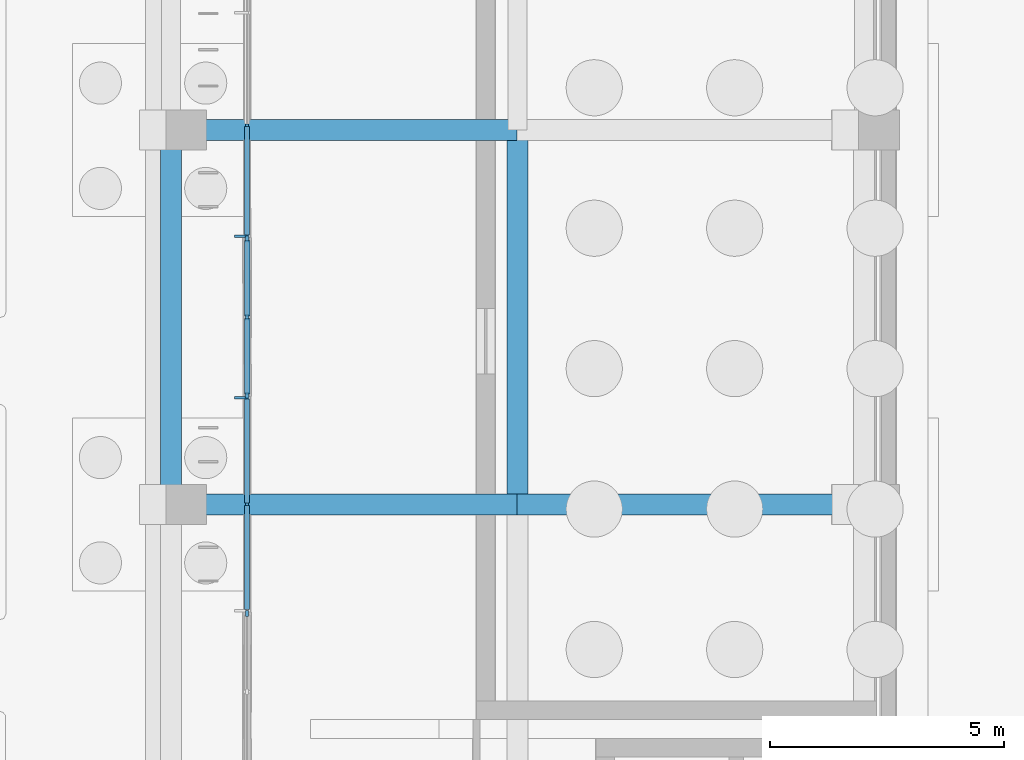
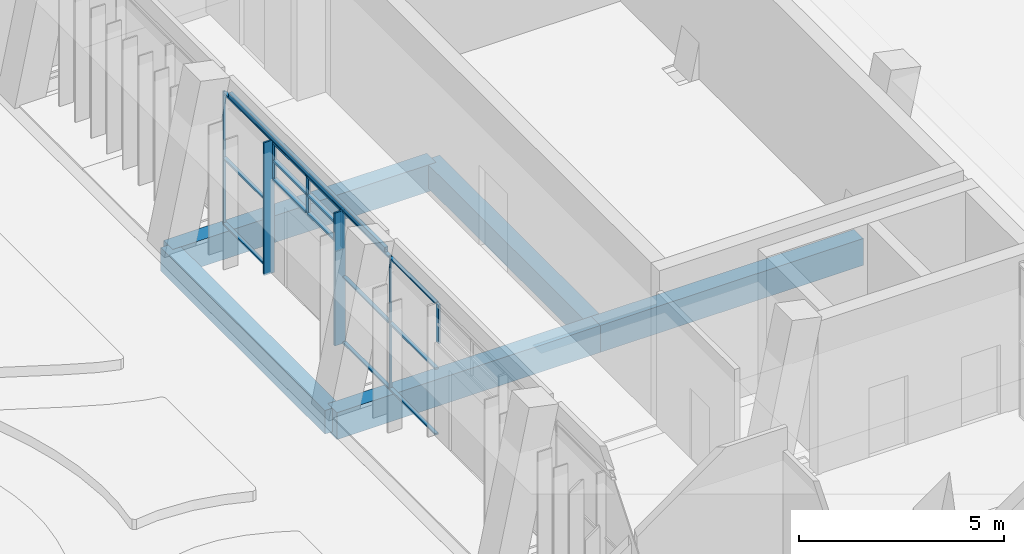
# One storey, part 74 of 144: 23 members, 6 beams, 4 elements without a shape of their own.
"""IFC4 building model written with IfcOpenShell, lengths in metres."""

from ifc_helpers import new_model, si_unit, direction, frame, origin, origin_2d, place, context, subcontext, project, spatial, rectangle, hollow_rectangle, extrude, material, material_profile, profile_set, type_object, element, aggregate, save


model = new_model("IFC4")

# Units and contexts
model_context = context("Model", 3, precision=1e-05, world=origin(), true_north=direction((0.0, 1.0)))
body_context = subcontext(model_context, "Body", "Model", "MODEL_VIEW")
ifc_project = project(units=[si_unit("LENGTHUNIT", "METRE"), si_unit("AREAUNIT", "SQUARE_METRE"), si_unit("VOLUMEUNIT", "CUBIC_METRE"), si_unit("PLANEANGLEUNIT", "RADIAN"), si_unit("MASSUNIT", "GRAM", prefix="KILO")], contexts=[model_context])

# Site, building, storey
site_placement = place(None, origin())
site = spatial("IfcSite", under=ifc_project, at=site_placement, CompositionType="ELEMENT")
building_placement = place(site_placement, origin())
building = spatial("IfcBuilding", under=site, at=building_placement, Name="Lantern Court Media Centre", CompositionType="ELEMENT")
storey_placement = place(building_placement, origin())
storey = spatial("IfcBuildingStorey", under=building, at=storey_placement, Name="L00", CompositionType="ELEMENT", Elevation=0.0)

# Curtain wall, member
ifc_material_1 = material(Name="Curtain wall bay 2400")
curtain_wall_type_1 = type_object("IfcCurtainWallType", Name="Curtain wall bay 2400", PredefinedType="NOTDEFINED", material=ifc_material_1)
curtain_wall_1_placement = place(storey_placement, origin())
curtain_wall_1 = element("IfcCurtainWall", 1, at=curtain_wall_1_placement, inside=storey, type_object=curtain_wall_type_1, Name="Curtain wall E inner L00", PredefinedType="NOTDEFINED")
ifc_material_2 = material(Name="Anodised aluminium", Category="aluminium")
ifc_material_profile_1 = material_profile(ifc_material_2, rectangle(XDim=0.300048828125, YDim=0.050048828125, at=origin_2d()), Name="AL 50x300")
ifc_profile_set_1 = profile_set([ifc_material_profile_1], Name="Anodised aluminium")
member_type_1 = type_object("IfcMemberType", Name="Curtain wall mullion 50x300", PredefinedType="MULLION", material=ifc_profile_set_1)
member_1_placement = place(storey_placement, frame((82.030029296875, 82.27490234375, 0.0), z_axis=(0.0, 0.0, 1.0), x_axis=(-1.0, 0.0, 0.0)))
member_1 = element("IfcMember", 2, at=member_1_placement, type_object=member_type_1, Name="CW2 mullion 3", PredefinedType="MULLION", context=body_context, shape_type="SweptSolid", body=[
    extrude(rectangle(XDim=0.300048828125, YDim=0.050048828125, at=origin_2d()), origin(), (0.0, 0.0, 1.0), 3.949951171875),
])

curtain_wall_2_placement = place(storey_placement, origin())
curtain_wall_2 = element("IfcCurtainWall", 3, at=curtain_wall_2_placement, inside=storey, type_object=curtain_wall_type_1, Name="Curtain wall E inner L00", PredefinedType="NOTDEFINED")
member_2_placement = place(storey_placement, frame((82.030029296875, 85.72509765625, 0.0), z_axis=(0.0, 0.0, 1.0), x_axis=(-1.0, 0.0, 0.0)))
member_2 = element("IfcMember", 4, at=member_2_placement, type_object=member_type_1, Name="CW2 mullion 1", PredefinedType="MULLION", context=body_context, shape_type="SweptSolid", body=[
    extrude(rectangle(XDim=0.300048828125, YDim=0.050048828125, at=origin_2d()), origin(), (0.0, 0.0, 1.0), 3.949951171875),
])

# Member
ifc_material_profile_2 = material_profile(ifc_material_2, rectangle(XDim=0.06005859375, YDim=0.050048828125, at=origin_2d()), Name="AL 50x60")
ifc_profile_set_2 = profile_set([ifc_material_profile_2], Name="Anodised aluminium")
member_type_2 = type_object("IfcMemberType", Name="Curtain wall mullion 50x60", PredefinedType="MULLION", material=ifc_profile_set_2)
member_3_placement = place(storey_placement, frame((82.14990234375, 80.0, 0.0), z_axis=(0.0, 0.0, 1.0), x_axis=(-1.0, 0.0, 0.0)))
member_3 = element("IfcMember", 5, at=member_3_placement, type_object=member_type_2, Name="CW2 mullion 2", PredefinedType="MULLION", context=body_context, shape_type="SweptSolid", body=[
    extrude(rectangle(XDim=0.06005859375, YDim=0.050048828125, at=origin_2d()), origin(), (0.0, 0.0, 1.0), 3.949951171875),
])

member_4_placement = place(storey_placement, frame((82.14990234375, 88.10009765625, 0.0), z_axis=(0.0, 0.0, 1.0), x_axis=(-1.0, 0.0, 0.0)))
member_4 = element("IfcMember", 6, at=member_4_placement, type_object=member_type_2, Name="CW2 mullion 2", PredefinedType="MULLION", context=body_context, shape_type="SweptSolid", body=[
    extrude(rectangle(XDim=0.06005859375, YDim=0.050048828125, at=origin_2d()), origin(), (0.0, 0.0, 1.0), 3.949951171875),
])

# Curtain wall, member
ifc_material_3 = material(Name="Curtain wall bay 1700")
curtain_wall_type_2 = type_object("IfcCurtainWallType", Name="Curtain wall bay 1700", PredefinedType="NOTDEFINED", material=ifc_material_3)
curtain_wall_3_placement = place(storey_placement, origin())
curtain_wall_3 = element("IfcCurtainWall", 7, at=curtain_wall_3_placement, inside=storey, type_object=curtain_wall_type_2, Name="Curtain wall E inner L00", PredefinedType="NOTDEFINED")
ifc_material_profile_3 = material_profile(ifc_material_2, rectangle(XDim=0.06005859375, YDim=0.1201171875, at=origin_2d()), Name="AL 60x120")
ifc_profile_set_3 = profile_set([ifc_material_profile_3], Name="Anodised aluminium")
member_type_3 = type_object("IfcMemberType", Name="Curtain wall mullion 60x120", PredefinedType="MULLION", material=ifc_profile_set_3)
member_5_placement = place(storey_placement, frame((82.14990234375, 77.669921875, 2.800048828125), z_axis=(0.0, 0.0, 1.0), x_axis=(-1.0, 0.0, 0.0)))
member_5 = element("IfcMember", 8, at=member_5_placement, type_object=member_type_3, Name="CW4 mullion 3", PredefinedType="MULLION", context=body_context, shape_type="SweptSolid", body=[
    extrude(rectangle(XDim=0.06005859375, YDim=0.1201171875, at=origin_2d()), origin(), (0.0, 0.0, 1.0), 1.14990234375),
])
aggregate(curtain_wall_3, [member_5])

# Curtain wall, members
curtain_wall_4_placement = place(storey_placement, origin())
curtain_wall_4 = element("IfcCurtainWall", 9, at=curtain_wall_4_placement, inside=storey, type_object=curtain_wall_type_2, Name="Curtain wall E inner L00", PredefinedType="NOTDEFINED")
member_6_placement = place(storey_placement, frame((82.14990234375, 82.330078125, 2.800048828125), z_axis=(0.0, 0.0, 1.0), x_axis=(-1.0, 0.0, 0.0)))
member_6 = element("IfcMember", 10, at=member_6_placement, type_object=member_type_3, Name="CW4 mullion 1", PredefinedType="MULLION", context=body_context, shape_type="SweptSolid", body=[
    extrude(rectangle(XDim=0.06005859375, YDim=0.1201171875, at=origin_2d()), origin(), (0.0, 0.0, 1.0), 1.14990234375),
])
member_7_placement = place(storey_placement, frame((82.14990234375, 84.0, 2.800048828125), z_axis=(0.0, 0.0, 1.0), x_axis=(-1.0, 0.0, 0.0)))
member_7 = element("IfcMember", 11, at=member_7_placement, type_object=member_type_3, Name="CW4 mullion 2", PredefinedType="MULLION", context=body_context, shape_type="SweptSolid", body=[
    extrude(rectangle(XDim=0.06005859375, YDim=0.1201171875, at=origin_2d()), origin(), (0.0, 0.0, 1.0), 1.14990234375),
])
member_8_placement = place(storey_placement, frame((82.14990234375, 85.669921875, 2.800048828125), z_axis=(0.0, 0.0, 1.0), x_axis=(-1.0, 0.0, 0.0)))
member_8 = element("IfcMember", 12, at=member_8_placement, type_object=member_type_3, Name="CW4 mullion 3", PredefinedType="MULLION", context=body_context, shape_type="SweptSolid", body=[
    extrude(rectangle(XDim=0.06005859375, YDim=0.1201171875, at=origin_2d()), origin(), (0.0, 0.0, 1.0), 1.14990234375),
])

# Member
ifc_material_profile_4 = material_profile(ifc_material_2, rectangle(XDim=0.10009765625, YDim=0.050048828125, at=origin_2d()), Name="AL 50x100")
ifc_profile_set_4 = profile_set([ifc_material_profile_4], Name="Anodised aluminium")
member_type_4 = type_object("IfcMemberType", Name="Curtain wall transom 100x50", PredefinedType="USERDEFINED", material=ifc_profile_set_4)
member_9_placement = place(storey_placement, frame((82.14990234375, 77.75, 0.02490234375), z_axis=(0.0, 1.0, 0.0), x_axis=(-1.0, 0.0, 0.0)))
member_9 = element("IfcMember", 13, at=member_9_placement, type_object=member_type_4, Name="CW2 transom 1.1", ObjectType="TRANSOM", PredefinedType="USERDEFINED", context=body_context, shape_type="SweptSolid", body=[
    extrude(rectangle(XDim=0.10009765625, YDim=0.050048828125, at=origin_2d()), origin(), (0.0, 0.0, 1.0), 2.22509765625),
])

member_10_placement = place(storey_placement, frame((82.14990234375, 77.75, 1.97509765625), z_axis=(0.0, 1.0, 0.0), x_axis=(-1.0, 0.0, 0.0)))
member_10 = element("IfcMember", 14, at=member_10_placement, type_object=member_type_4, Name="CW2 transom 1.2", ObjectType="TRANSOM", PredefinedType="USERDEFINED", context=body_context, shape_type="SweptSolid", body=[
    extrude(rectangle(XDim=0.10009765625, YDim=0.050048828125, at=origin_2d()), origin(), (0.0, 0.0, 1.0), 2.22509765625),
])

member_11_placement = place(storey_placement, frame((82.14990234375, 77.75, 3.925048828125), z_axis=(0.0, 1.0, 0.0), x_axis=(-1.0, 0.0, 0.0)))
member_11 = element("IfcMember", 15, at=member_11_placement, type_object=member_type_4, Name="CW2 transom 1.3", ObjectType="TRANSOM", PredefinedType="USERDEFINED", context=body_context, shape_type="SweptSolid", body=[
    extrude(rectangle(XDim=0.10009765625, YDim=0.050048828125, at=origin_2d()), origin(), (0.0, 0.0, 1.0), 2.22509765625),
])

member_12_placement = place(storey_placement, frame((82.14990234375, 80.02490234375, 0.02490234375), z_axis=(0.0, 1.0, 0.0), x_axis=(-1.0, 0.0, 0.0)))
member_12 = element("IfcMember", 16, at=member_12_placement, type_object=member_type_4, Name="CW2 transom 2.1", ObjectType="TRANSOM", PredefinedType="USERDEFINED", context=body_context, shape_type="SweptSolid", body=[
    extrude(rectangle(XDim=0.10009765625, YDim=0.050048828125, at=origin_2d()), origin(), (0.0, 0.0, 1.0), 2.22509765625),
])

member_13_placement = place(storey_placement, frame((82.14990234375, 80.02490234375, 1.97509765625), z_axis=(0.0, 1.0, 0.0), x_axis=(-1.0, 0.0, 0.0)))
member_13 = element("IfcMember", 17, at=member_13_placement, type_object=member_type_4, Name="CW2 transom 2.2", ObjectType="TRANSOM", PredefinedType="USERDEFINED", context=body_context, shape_type="SweptSolid", body=[
    extrude(rectangle(XDim=0.10009765625, YDim=0.050048828125, at=origin_2d()), origin(), (0.0, 0.0, 1.0), 2.22509765625),
])

member_14_placement = place(storey_placement, frame((82.14990234375, 80.02490234375, 3.925048828125), z_axis=(0.0, 1.0, 0.0), x_axis=(-1.0, 0.0, 0.0)))
member_14 = element("IfcMember", 18, at=member_14_placement, type_object=member_type_4, Name="CW2 transom 2.3", ObjectType="TRANSOM", PredefinedType="USERDEFINED", context=body_context, shape_type="SweptSolid", body=[
    extrude(rectangle(XDim=0.10009765625, YDim=0.050048828125, at=origin_2d()), origin(), (0.0, 0.0, 1.0), 2.22509765625),
])

aggregate(curtain_wall_1, [member_3, member_1, member_9, member_10, member_11, member_12, member_13, member_14])

member_15_placement = place(storey_placement, frame((82.14990234375, 85.75, 0.02490234375), z_axis=(0.0, 1.0, 0.0), x_axis=(-1.0, 0.0, 0.0)))
member_15 = element("IfcMember", 19, at=member_15_placement, type_object=member_type_4, Name="CW2 transom 1.1", ObjectType="TRANSOM", PredefinedType="USERDEFINED", context=body_context, shape_type="SweptSolid", body=[
    extrude(rectangle(XDim=0.10009765625, YDim=0.050048828125, at=origin_2d()), origin(), (0.0, 0.0, 1.0), 2.324951171875),
])

member_16_placement = place(storey_placement, frame((82.14990234375, 85.75, 1.97509765625), z_axis=(0.0, 1.0, 0.0), x_axis=(-1.0, 0.0, 0.0)))
member_16 = element("IfcMember", 20, at=member_16_placement, type_object=member_type_4, Name="CW2 transom 1.2", ObjectType="TRANSOM", PredefinedType="USERDEFINED", context=body_context, shape_type="SweptSolid", body=[
    extrude(rectangle(XDim=0.10009765625, YDim=0.050048828125, at=origin_2d()), origin(), (0.0, 0.0, 1.0), 2.324951171875),
])

member_17_placement = place(storey_placement, frame((82.14990234375, 85.75, 3.925048828125), z_axis=(0.0, 1.0, 0.0), x_axis=(-1.0, 0.0, 0.0)))
member_17 = element("IfcMember", 21, at=member_17_placement, type_object=member_type_4, Name="CW2 transom 1.3", ObjectType="TRANSOM", PredefinedType="USERDEFINED", context=body_context, shape_type="SweptSolid", body=[
    extrude(rectangle(XDim=0.10009765625, YDim=0.050048828125, at=origin_2d()), origin(), (0.0, 0.0, 1.0), 2.324951171875),
])

aggregate(curtain_wall_2, [member_2, member_4, member_15, member_16, member_17])

ifc_material_profile_5 = material_profile(ifc_material_2, rectangle(XDim=0.1201171875, YDim=0.06005859375, at=origin_2d()), Name="AL 60x120")
ifc_profile_set_5 = profile_set([ifc_material_profile_5], Name="Anodised aluminium")
member_type_5 = type_object("IfcMemberType", Name="Curtain wall transom 60x120", PredefinedType="USERDEFINED", material=ifc_profile_set_5)
member_18_placement = place(storey_placement, frame((82.14990234375, 82.360107421875, 2.830078125), z_axis=(0.0, 1.0, 0.0), x_axis=(-1.0, 0.0, 0.0)))
member_18 = element("IfcMember", 22, at=member_18_placement, type_object=member_type_5, Name="CW4 transom 1.1", ObjectType="TRANSOM", PredefinedType="USERDEFINED", context=body_context, shape_type="SweptSolid", body=[
    extrude(rectangle(XDim=0.1201171875, YDim=0.06005859375, at=origin_2d()), origin(), (0.0, 0.0, 1.0), 1.60986328125),
])

member_19_placement = place(storey_placement, frame((82.14990234375, 82.360107421875, 3.375), z_axis=(0.0, 1.0, 0.0), x_axis=(-1.0, 0.0, 0.0)))
member_19 = element("IfcMember", 23, at=member_19_placement, type_object=member_type_5, Name="CW4 transom 1.2", ObjectType="TRANSOM", PredefinedType="USERDEFINED", context=body_context, shape_type="SweptSolid", body=[
    extrude(rectangle(XDim=0.1201171875, YDim=0.06005859375, at=origin_2d()), origin(), (0.0, 0.0, 1.0), 1.60986328125),
])

member_20_placement = place(storey_placement, frame((82.14990234375, 82.360107421875, 3.919921875), z_axis=(0.0, 1.0, 0.0), x_axis=(-1.0, 0.0, 0.0)))
member_20 = element("IfcMember", 24, at=member_20_placement, type_object=member_type_5, Name="CW4 transom 1.3", ObjectType="TRANSOM", PredefinedType="USERDEFINED", context=body_context, shape_type="SweptSolid", body=[
    extrude(rectangle(XDim=0.1201171875, YDim=0.06005859375, at=origin_2d()), origin(), (0.0, 0.0, 1.0), 1.60986328125),
])

member_21_placement = place(storey_placement, frame((82.14990234375, 84.030029296875, 2.830078125), z_axis=(0.0, 1.0, 0.0), x_axis=(-1.0, 0.0, 0.0)))
member_21 = element("IfcMember", 25, at=member_21_placement, type_object=member_type_5, Name="CW4 transom 2.1", ObjectType="TRANSOM", PredefinedType="USERDEFINED", context=body_context, shape_type="SweptSolid", body=[
    extrude(rectangle(XDim=0.1201171875, YDim=0.06005859375, at=origin_2d()), origin(), (0.0, 0.0, 1.0), 1.60986328125),
])

member_22_placement = place(storey_placement, frame((82.14990234375, 84.030029296875, 3.375), z_axis=(0.0, 1.0, 0.0), x_axis=(-1.0, 0.0, 0.0)))
member_22 = element("IfcMember", 26, at=member_22_placement, type_object=member_type_5, Name="CW4 transom 2.2", ObjectType="TRANSOM", PredefinedType="USERDEFINED", context=body_context, shape_type="SweptSolid", body=[
    extrude(rectangle(XDim=0.1201171875, YDim=0.06005859375, at=origin_2d()), origin(), (0.0, 0.0, 1.0), 1.60986328125),
])

member_23_placement = place(storey_placement, frame((82.14990234375, 84.030029296875, 3.919921875), z_axis=(0.0, 1.0, 0.0), x_axis=(-1.0, 0.0, 0.0)))
member_23 = element("IfcMember", 27, at=member_23_placement, type_object=member_type_5, Name="CW4 transom 2.3", ObjectType="TRANSOM", PredefinedType="USERDEFINED", context=body_context, shape_type="SweptSolid", body=[
    extrude(rectangle(XDim=0.1201171875, YDim=0.06005859375, at=origin_2d()), origin(), (0.0, 0.0, 1.0), 1.60986328125),
])

aggregate(curtain_wall_4, [member_6, member_7, member_8, member_18, member_19, member_20, member_21, member_22, member_23])

# Beams
ifc_material_4 = material(Name="Steel S355J2 (EN 10025-2)", Category="steel")
ifc_material_profile_6 = material_profile(ifc_material_4, hollow_rectangle(XDim=0.10009765625, YDim=0.14990234375, WallThickness=0.00634765625, InnerFilletRadius=0.00634765625, OuterFilletRadius=0.009521484375, at=origin_2d()), Name="Facade head lintel RHS 150x100x6.3")
ifc_profile_set_6 = profile_set([ifc_material_profile_6], Name="Steel S355J2 (EN 10025-2)")
beam_type_1 = type_object("IfcBeamType", Name="Facade head lintel RHS 150x100x6.3", PredefinedType="BEAM", material=ifc_profile_set_6)
beam_1_placement = place(storey_placement, frame((82.14990234375, 80.199951171875, 4.02490234375), z_axis=(0.0, 1.0, 0.0), x_axis=(-1.0, 0.0, 0.0)))
element("IfcBeam", 28, at=beam_1_placement, inside=storey, type_object=beam_type_1, Name="Facade head lintel E L00", PredefinedType="BEAM", context=body_context, shape_type="SweptSolid", body=[
    extrude(hollow_rectangle(XDim=0.10009765625, YDim=0.14990234375, WallThickness=0.00634765625, InnerFilletRadius=0.00634765625, OuterFilletRadius=0.009521484375, at=origin_2d()), origin(), (0.0, 0.0, 1.0), 7.60009765625),
])
ifc_material_5 = material(Name="Concrete C35", Category="concrete")
ifc_material_profile_7 = material_profile(ifc_material_5, rectangle(XDim=0.449951171875, YDim=0.699951171875, at=origin_2d()), Name="RC 450x700")
ifc_profile_set_7 = profile_set([ifc_material_profile_7], Name="Concrete C35")
beam_type_2 = type_object("IfcBeamType", Name="RC BEAM 450x700", PredefinedType="BEAM", material=ifc_profile_set_7)
for number, where, z_axis, x_axis, name in (
    (29, (80.527099609375, 80.0, -0.35009765625), (0.0, 1.0, 0.0), (-1.0, 0.0, 0.0), "LB-E-L00-0-2"),
    (30, (87.927001953125, 80.0, -0.35009765625), (0.0, 1.0, 0.0), (-1.0, 0.0, 0.0), "LB-E-L00-1-2"),
):
    element("IfcBeam", number, at=place(storey_placement, frame(where, z_axis=z_axis, x_axis=x_axis)), inside=storey, type_object=beam_type_2, Name=name, PredefinedType="BEAM", context=body_context, shape_type="SweptSolid", body=[
        extrude(rectangle(XDim=0.449951171875, YDim=0.699951171875, at=origin_2d()), origin(), (0.0, 0.0, 1.0), 8.0),
    ])
ifc_material_profile_8 = material_profile(ifc_material_5, rectangle(XDim=0.449951171875, YDim=0.800048828125, at=origin_2d()), Name="RC 450x800")
ifc_profile_set_8 = profile_set([ifc_material_profile_8], Name="Concrete C35")
beam_type_3 = type_object("IfcBeamType", Name="RC BEAM 450x800", PredefinedType="BEAM", material=ifc_profile_set_8)
beam_2_placement = place(storey_placement, frame((80.5166015625, 80.0, -0.39990234375), z_axis=(1.0, 0.0, 0.0), x_axis=(0.0, 1.0, 0.0)))
element("IfcBeam", 31, at=beam_2_placement, inside=storey, type_object=beam_type_3, Name="TB-E-L00-2-1", PredefinedType="BEAM", context=body_context, shape_type="SweptSolid", body=[
    extrude(rectangle(XDim=0.449951171875, YDim=0.800048828125, at=origin_2d()), origin(), (0.0, 0.0, 1.0), 7.400146484375),
])
beam_3_placement = place(storey_placement, frame((87.916748046875, 80.0, -0.39990234375), z_axis=(1.0, 0.0, 0.0), x_axis=(0.0, 1.0, 0.0)))
element("IfcBeam", 32, at=beam_3_placement, inside=storey, type_object=beam_type_3, Name="TB-E-L00-2-2", PredefinedType="BEAM", context=body_context, shape_type="SweptSolid", body=[
    extrude(rectangle(XDim=0.449951171875, YDim=0.800048828125, at=origin_2d()), origin(), (0.0, 0.0, 1.0), 7.39990234375),
])
beam_4_placement = place(storey_placement, frame((80.5166015625, 88.0, -0.39990234375), z_axis=(1.0, 0.0, 0.0), x_axis=(0.0, 1.0, 0.0)))
element("IfcBeam", 33, at=beam_4_placement, inside=storey, type_object=beam_type_3, Name="TB-E-L00-3-1", PredefinedType="BEAM", context=body_context, shape_type="SweptSolid", body=[
    extrude(rectangle(XDim=0.449951171875, YDim=0.800048828125, at=origin_2d()), origin(), (0.0, 0.0, 1.0), 7.400146484375),
])

save(model, "model.ifc")
